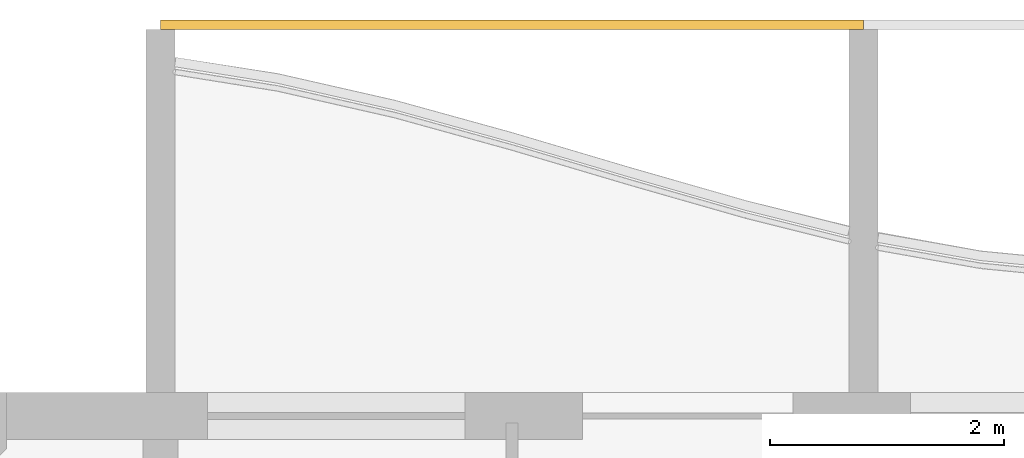
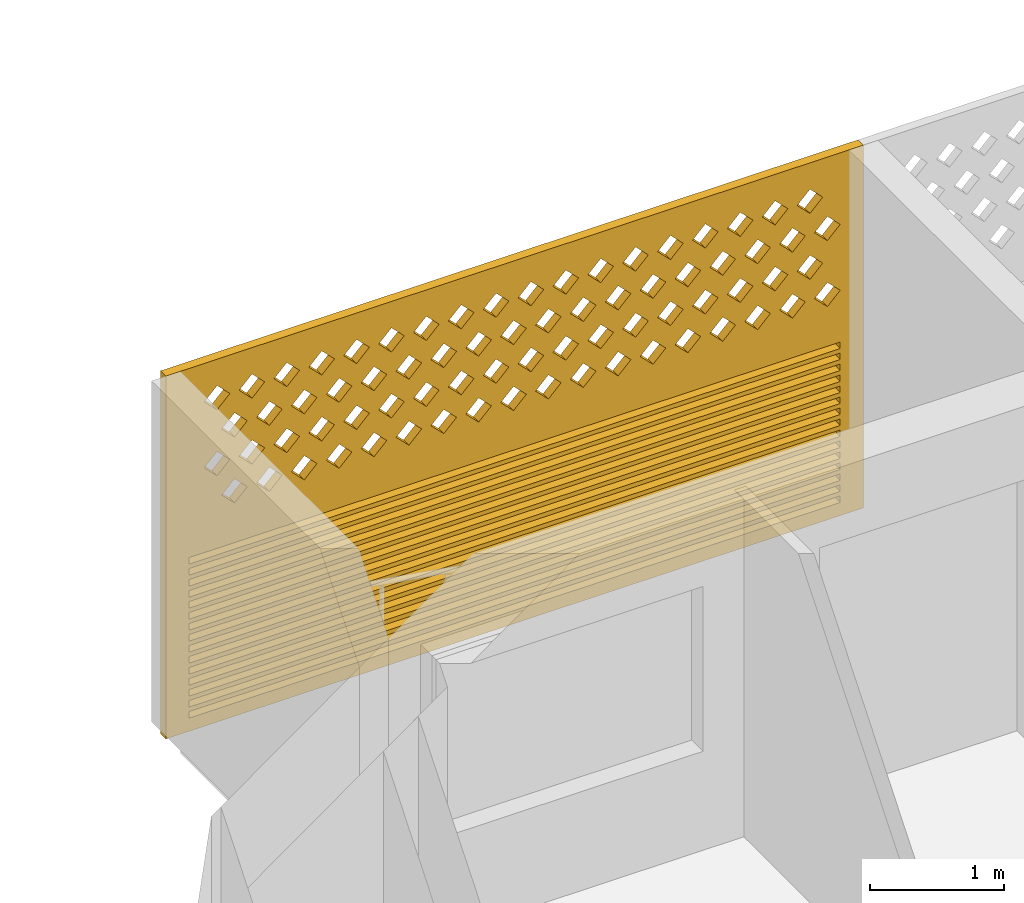
# One storey, part 18 of 32: 1 covering.
"""IFC4 building model written with IfcOpenShell, lengths in metres."""

from ifc_helpers import new_model, si_unit, direction, frame, origin, place, context, subcontext, project, spatial, polyline, outline, extrude, source, transform, mapped, material, material_profile, profile_set, type_object, element, save


model = new_model("IFC4")

# Units and contexts
model_context = context("Model", 3, precision=1e-05, world=origin(), true_north=direction((0.0, 1.0)))
body_context = subcontext(model_context, "Body", "Model", "MODEL_VIEW")
ifc_project = project(units=[si_unit("LENGTHUNIT", "METRE"), si_unit("AREAUNIT", "SQUARE_METRE"), si_unit("VOLUMEUNIT", "CUBIC_METRE"), si_unit("PLANEANGLEUNIT", "RADIAN"), si_unit("MASSUNIT", "GRAM", prefix="KILO")], contexts=[model_context])

# Site, building, storey
site_placement = place(None, origin())
site = spatial("IfcSite", under=ifc_project, at=site_placement, CompositionType="ELEMENT")
building_placement = place(site_placement, origin())
building = spatial("IfcBuilding", under=site, at=building_placement, Name="Poui Terraces", CompositionType="ELEMENT")
storey_placement = place(building_placement, frame((0.0, 0.0, 129.0)))
storey = spatial("IfcBuildingStorey", under=building, at=storey_placement, Name="L35", CompositionType="ELEMENT", Elevation=129.0)

# Covering
ifc_material = material(Name="Terracotta screen", Category="masonry")
ifc_material_profile = material_profile(ifc_material, outline(polyline([(-3.0, -1.64990234375), (3.0, -1.64990234375), (3.0, 1.64990234375), (-3.0, 1.64990234375), (-3.0, -1.64990234375)]), holes=[polyline([(-2.800048828125, 0.39990234375), (-2.68994140625, 0.2900390625), (-2.580078125, 0.39990234375), (-2.68994140625, 0.510009765625), (-2.800048828125, 0.39990234375)]), polyline([(-2.5, 0.39990234375), (-2.389892578125, 0.2900390625), (-2.280029296875, 0.39990234375), (-2.389892578125, 0.510009765625), (-2.5, 0.39990234375)]), polyline([(-2.199951171875, 0.39990234375), (-2.090087890625, 0.2900390625), (-1.97998046875, 0.39990234375), (-2.090087890625, 0.510009765625), (-2.199951171875, 0.39990234375)]), polyline([(-1.89990234375, 0.39990234375), (-1.7900390625, 0.2900390625), (-1.679931640625, 0.39990234375), (-1.7900390625, 0.510009765625), (-1.89990234375, 0.39990234375)]), polyline([(-1.60009765625, 0.39990234375), (-1.489990234375, 0.2900390625), (-1.3798828125, 0.39990234375), (-1.489990234375, 0.510009765625), (-1.60009765625, 0.39990234375)]), polyline([(-1.300048828125, 0.39990234375), (-1.18994140625, 0.2900390625), (-1.080078125, 0.39990234375), (-1.18994140625, 0.510009765625), (-1.300048828125, 0.39990234375)]), polyline([(-1.0, 0.39990234375), (-0.889892578125, 0.2900390625), (-0.780029296875, 0.39990234375), (-0.889892578125, 0.510009765625), (-1.0, 0.39990234375)]), polyline([(-0.699951171875, 0.39990234375), (-0.590087890625, 0.2900390625), (-0.47998046875, 0.39990234375), (-0.590087890625, 0.510009765625), (-0.699951171875, 0.39990234375)]), polyline([(-0.39990234375, 0.39990234375), (-0.2900390625, 0.2900390625), (-0.179931640625, 0.39990234375), (-0.2900390625, 0.510009765625), (-0.39990234375, 0.39990234375)]), polyline([(-0.10009765625, 0.39990234375), (0.010009765625, 0.2900390625), (0.1201171875, 0.39990234375), (0.010009765625, 0.510009765625), (-0.10009765625, 0.39990234375)]), polyline([(0.199951171875, 0.39990234375), (0.31005859375, 0.2900390625), (0.419921875, 0.39990234375), (0.31005859375, 0.510009765625), (0.199951171875, 0.39990234375)]), polyline([(0.5, 0.39990234375), (0.610107421875, 0.2900390625), (0.719970703125, 0.39990234375), (0.610107421875, 0.510009765625), (0.5, 0.39990234375)]), polyline([(0.800048828125, 0.39990234375), (0.909912109375, 0.2900390625), (1.02001953125, 0.39990234375), (0.909912109375, 0.510009765625), (0.800048828125, 0.39990234375)]), polyline([(1.10009765625, 0.39990234375), (1.2099609375, 0.2900390625), (1.320068359375, 0.39990234375), (1.2099609375, 0.510009765625), (1.10009765625, 0.39990234375)]), polyline([(1.39990234375, 0.39990234375), (1.510009765625, 0.2900390625), (1.6201171875, 0.39990234375), (1.510009765625, 0.510009765625), (1.39990234375, 0.39990234375)]), polyline([(1.699951171875, 0.39990234375), (1.81005859375, 0.2900390625), (1.919921875, 0.39990234375), (1.81005859375, 0.510009765625), (1.699951171875, 0.39990234375)]), polyline([(2.0, 0.39990234375), (2.110107421875, 0.2900390625), (2.219970703125, 0.39990234375), (2.110107421875, 0.510009765625), (2.0, 0.39990234375)]), polyline([(2.300048828125, 0.39990234375), (2.409912109375, 0.2900390625), (2.52001953125, 0.39990234375), (2.409912109375, 0.510009765625), (2.300048828125, 0.39990234375)]), polyline([(-2.64990234375, 0.699951171875), (-2.5400390625, 0.590087890625), (-2.429931640625, 0.699951171875), (-2.5400390625, 0.81005859375), (-2.64990234375, 0.699951171875)]), polyline([(-2.35009765625, 0.699951171875), (-2.239990234375, 0.590087890625), (-2.1298828125, 0.699951171875), (-2.239990234375, 0.81005859375), (-2.35009765625, 0.699951171875)]), polyline([(-2.050048828125, 0.699951171875), (-1.93994140625, 0.590087890625), (-1.830078125, 0.699951171875), (-1.93994140625, 0.81005859375), (-2.050048828125, 0.699951171875)]), polyline([(-1.75, 0.699951171875), (-1.639892578125, 0.590087890625), (-1.530029296875, 0.699951171875), (-1.639892578125, 0.81005859375), (-1.75, 0.699951171875)]), polyline([(-1.449951171875, 0.699951171875), (-1.340087890625, 0.590087890625), (-1.22998046875, 0.699951171875), (-1.340087890625, 0.81005859375), (-1.449951171875, 0.699951171875)]), polyline([(-1.14990234375, 0.699951171875), (-1.0400390625, 0.590087890625), (-0.929931640625, 0.699951171875), (-1.0400390625, 0.81005859375), (-1.14990234375, 0.699951171875)]), polyline([(-0.85009765625, 0.699951171875), (-0.739990234375, 0.590087890625), (-0.6298828125, 0.699951171875), (-0.739990234375, 0.81005859375), (-0.85009765625, 0.699951171875)]), polyline([(-0.550048828125, 0.699951171875), (-0.43994140625, 0.590087890625), (-0.330078125, 0.699951171875), (-0.43994140625, 0.81005859375), (-0.550048828125, 0.699951171875)]), polyline([(-0.25, 0.699951171875), (-0.139892578125, 0.590087890625), (-0.030029296875, 0.699951171875), (-0.139892578125, 0.81005859375), (-0.25, 0.699951171875)]), polyline([(0.050048828125, 0.699951171875), (0.159912109375, 0.590087890625), (0.27001953125, 0.699951171875), (0.159912109375, 0.81005859375), (0.050048828125, 0.699951171875)]), polyline([(0.35009765625, 0.699951171875), (0.4599609375, 0.590087890625), (0.570068359375, 0.699951171875), (0.4599609375, 0.81005859375), (0.35009765625, 0.699951171875)]), polyline([(0.64990234375, 0.699951171875), (0.760009765625, 0.590087890625), (0.8701171875, 0.699951171875), (0.760009765625, 0.81005859375), (0.64990234375, 0.699951171875)]), polyline([(0.949951171875, 0.699951171875), (1.06005859375, 0.590087890625), (1.169921875, 0.699951171875), (1.06005859375, 0.81005859375), (0.949951171875, 0.699951171875)]), polyline([(1.25, 0.699951171875), (1.360107421875, 0.590087890625), (1.469970703125, 0.699951171875), (1.360107421875, 0.81005859375), (1.25, 0.699951171875)]), polyline([(1.550048828125, 0.699951171875), (1.659912109375, 0.590087890625), (1.77001953125, 0.699951171875), (1.659912109375, 0.81005859375), (1.550048828125, 0.699951171875)]), polyline([(1.85009765625, 0.699951171875), (1.9599609375, 0.590087890625), (2.070068359375, 0.699951171875), (1.9599609375, 0.81005859375), (1.85009765625, 0.699951171875)]), polyline([(2.14990234375, 0.699951171875), (2.260009765625, 0.590087890625), (2.3701171875, 0.699951171875), (2.260009765625, 0.81005859375), (2.14990234375, 0.699951171875)]), polyline([(2.449951171875, 0.699951171875), (2.56005859375, 0.590087890625), (2.669921875, 0.699951171875), (2.56005859375, 0.81005859375), (2.449951171875, 0.699951171875)]), polyline([(-2.800048828125, 1.0), (-2.68994140625, 0.889892578125), (-2.580078125, 1.0), (-2.68994140625, 1.110107421875), (-2.800048828125, 1.0)]), polyline([(-2.5, 1.0), (-2.389892578125, 0.889892578125), (-2.280029296875, 1.0), (-2.389892578125, 1.110107421875), (-2.5, 1.0)]), polyline([(-2.199951171875, 1.0), (-2.090087890625, 0.889892578125), (-1.97998046875, 1.0), (-2.090087890625, 1.110107421875), (-2.199951171875, 1.0)]), polyline([(-1.89990234375, 1.0), (-1.7900390625, 0.889892578125), (-1.679931640625, 1.0), (-1.7900390625, 1.110107421875), (-1.89990234375, 1.0)]), polyline([(-1.60009765625, 1.0), (-1.489990234375, 0.889892578125), (-1.3798828125, 1.0), (-1.489990234375, 1.110107421875), (-1.60009765625, 1.0)]), polyline([(-1.300048828125, 1.0), (-1.18994140625, 0.889892578125), (-1.080078125, 1.0), (-1.18994140625, 1.110107421875), (-1.300048828125, 1.0)]), polyline([(-1.0, 1.0), (-0.889892578125, 0.889892578125), (-0.780029296875, 1.0), (-0.889892578125, 1.110107421875), (-1.0, 1.0)]), polyline([(-0.699951171875, 1.0), (-0.590087890625, 0.889892578125), (-0.47998046875, 1.0), (-0.590087890625, 1.110107421875), (-0.699951171875, 1.0)]), polyline([(-0.39990234375, 1.0), (-0.2900390625, 0.889892578125), (-0.179931640625, 1.0), (-0.2900390625, 1.110107421875), (-0.39990234375, 1.0)]), polyline([(-0.10009765625, 1.0), (0.010009765625, 0.889892578125), (0.1201171875, 1.0), (0.010009765625, 1.110107421875), (-0.10009765625, 1.0)]), polyline([(0.199951171875, 1.0), (0.31005859375, 0.889892578125), (0.419921875, 1.0), (0.31005859375, 1.110107421875), (0.199951171875, 1.0)]), polyline([(0.5, 1.0), (0.610107421875, 0.889892578125), (0.719970703125, 1.0), (0.610107421875, 1.110107421875), (0.5, 1.0)]), polyline([(0.800048828125, 1.0), (0.909912109375, 0.889892578125), (1.02001953125, 1.0), (0.909912109375, 1.110107421875), (0.800048828125, 1.0)]), polyline([(1.10009765625, 1.0), (1.2099609375, 0.889892578125), (1.320068359375, 1.0), (1.2099609375, 1.110107421875), (1.10009765625, 1.0)]), polyline([(1.39990234375, 1.0), (1.510009765625, 0.889892578125), (1.6201171875, 1.0), (1.510009765625, 1.110107421875), (1.39990234375, 1.0)]), polyline([(1.699951171875, 1.0), (1.81005859375, 0.889892578125), (1.919921875, 1.0), (1.81005859375, 1.110107421875), (1.699951171875, 1.0)]), polyline([(2.0, 1.0), (2.110107421875, 0.889892578125), (2.219970703125, 1.0), (2.110107421875, 1.110107421875), (2.0, 1.0)]), polyline([(2.300048828125, 1.0), (2.409912109375, 0.889892578125), (2.52001953125, 1.0), (2.409912109375, 1.110107421875), (2.300048828125, 1.0)]), polyline([(-2.64990234375, 1.300048828125), (-2.5400390625, 1.18994140625), (-2.429931640625, 1.300048828125), (-2.5400390625, 1.409912109375), (-2.64990234375, 1.300048828125)]), polyline([(-2.35009765625, 1.300048828125), (-2.239990234375, 1.18994140625), (-2.1298828125, 1.300048828125), (-2.239990234375, 1.409912109375), (-2.35009765625, 1.300048828125)]), polyline([(-2.050048828125, 1.300048828125), (-1.93994140625, 1.18994140625), (-1.830078125, 1.300048828125), (-1.93994140625, 1.409912109375), (-2.050048828125, 1.300048828125)]), polyline([(-1.75, 1.300048828125), (-1.639892578125, 1.18994140625), (-1.530029296875, 1.300048828125), (-1.639892578125, 1.409912109375), (-1.75, 1.300048828125)]), polyline([(-1.449951171875, 1.300048828125), (-1.340087890625, 1.18994140625), (-1.22998046875, 1.300048828125), (-1.340087890625, 1.409912109375), (-1.449951171875, 1.300048828125)]), polyline([(-1.14990234375, 1.300048828125), (-1.0400390625, 1.18994140625), (-0.929931640625, 1.300048828125), (-1.0400390625, 1.409912109375), (-1.14990234375, 1.300048828125)]), polyline([(-0.85009765625, 1.300048828125), (-0.739990234375, 1.18994140625), (-0.6298828125, 1.300048828125), (-0.739990234375, 1.409912109375), (-0.85009765625, 1.300048828125)]), polyline([(-0.550048828125, 1.300048828125), (-0.43994140625, 1.18994140625), (-0.330078125, 1.300048828125), (-0.43994140625, 1.409912109375), (-0.550048828125, 1.300048828125)]), polyline([(-0.25, 1.300048828125), (-0.139892578125, 1.18994140625), (-0.030029296875, 1.300048828125), (-0.139892578125, 1.409912109375), (-0.25, 1.300048828125)]), polyline([(0.050048828125, 1.300048828125), (0.159912109375, 1.18994140625), (0.27001953125, 1.300048828125), (0.159912109375, 1.409912109375), (0.050048828125, 1.300048828125)]), polyline([(0.35009765625, 1.300048828125), (0.4599609375, 1.18994140625), (0.570068359375, 1.300048828125), (0.4599609375, 1.409912109375), (0.35009765625, 1.300048828125)]), polyline([(0.64990234375, 1.300048828125), (0.760009765625, 1.18994140625), (0.8701171875, 1.300048828125), (0.760009765625, 1.409912109375), (0.64990234375, 1.300048828125)]), polyline([(0.949951171875, 1.300048828125), (1.06005859375, 1.18994140625), (1.169921875, 1.300048828125), (1.06005859375, 1.409912109375), (0.949951171875, 1.300048828125)]), polyline([(1.25, 1.300048828125), (1.360107421875, 1.18994140625), (1.469970703125, 1.300048828125), (1.360107421875, 1.409912109375), (1.25, 1.300048828125)]), polyline([(1.550048828125, 1.300048828125), (1.659912109375, 1.18994140625), (1.77001953125, 1.300048828125), (1.659912109375, 1.409912109375), (1.550048828125, 1.300048828125)]), polyline([(1.85009765625, 1.300048828125), (1.9599609375, 1.18994140625), (2.070068359375, 1.300048828125), (1.9599609375, 1.409912109375), (1.85009765625, 1.300048828125)]), polyline([(2.14990234375, 1.300048828125), (2.260009765625, 1.18994140625), (2.3701171875, 1.300048828125), (2.260009765625, 1.409912109375), (2.14990234375, 1.300048828125)]), polyline([(2.449951171875, 1.300048828125), (2.56005859375, 1.18994140625), (2.669921875, 1.300048828125), (2.56005859375, 1.409912109375), (2.449951171875, 1.300048828125)]), polyline([(-2.800048828125, -1.530029296875), (2.800048828125, -1.530029296875), (2.800048828125, -1.469970703125), (-2.800048828125, -1.469970703125), (-2.800048828125, -1.530029296875)]), polyline([(-2.800048828125, -1.429931640625), (2.800048828125, -1.429931640625), (2.800048828125, -1.3701171875), (-2.800048828125, -1.3701171875), (-2.800048828125, -1.429931640625)]), polyline([(-2.800048828125, -1.330078125), (2.800048828125, -1.330078125), (2.800048828125, -1.27001953125), (-2.800048828125, -1.27001953125), (-2.800048828125, -1.330078125)]), polyline([(-2.800048828125, -1.22998046875), (2.800048828125, -1.22998046875), (2.800048828125, -1.169921875), (-2.800048828125, -1.169921875), (-2.800048828125, -1.22998046875)]), polyline([(-2.800048828125, -1.1298828125), (2.800048828125, -1.1298828125), (2.800048828125, -1.070068359375), (-2.800048828125, -1.070068359375), (-2.800048828125, -1.1298828125)]), polyline([(-2.800048828125, -1.030029296875), (2.800048828125, -1.030029296875), (2.800048828125, -0.969970703125), (-2.800048828125, -0.969970703125), (-2.800048828125, -1.030029296875)]), polyline([(-2.800048828125, -0.929931640625), (2.800048828125, -0.929931640625), (2.800048828125, -0.8701171875), (-2.800048828125, -0.8701171875), (-2.800048828125, -0.929931640625)]), polyline([(-2.800048828125, -0.830078125), (2.800048828125, -0.830078125), (2.800048828125, -0.77001953125), (-2.800048828125, -0.77001953125), (-2.800048828125, -0.830078125)]), polyline([(-2.800048828125, -0.72998046875), (2.800048828125, -0.72998046875), (2.800048828125, -0.669921875), (-2.800048828125, -0.669921875), (-2.800048828125, -0.72998046875)]), polyline([(-2.800048828125, -0.6298828125), (2.800048828125, -0.6298828125), (2.800048828125, -0.570068359375), (-2.800048828125, -0.570068359375), (-2.800048828125, -0.6298828125)]), polyline([(-2.800048828125, -0.530029296875), (2.800048828125, -0.530029296875), (2.800048828125, -0.469970703125), (-2.800048828125, -0.469970703125), (-2.800048828125, -0.530029296875)]), polyline([(-2.800048828125, -0.429931640625), (2.800048828125, -0.429931640625), (2.800048828125, -0.3701171875), (-2.800048828125, -0.3701171875), (-2.800048828125, -0.429931640625)]), polyline([(-2.800048828125, -0.330078125), (2.800048828125, -0.330078125), (2.800048828125, -0.27001953125), (-2.800048828125, -0.27001953125), (-2.800048828125, -0.330078125)]), polyline([(-2.800048828125, -0.22998046875), (2.800048828125, -0.22998046875), (2.800048828125, -0.169921875), (-2.800048828125, -0.169921875), (-2.800048828125, -0.22998046875)]), polyline([(-2.800048828125, -0.1298828125), (2.800048828125, -0.1298828125), (2.800048828125, -0.070068359375), (-2.800048828125, -0.070068359375), (-2.800048828125, -0.1298828125)])]), Name="TERRACOTTA SCREEN AND JALOUSIE LOUVRE 6000X3300")
ifc_profile_set = profile_set([ifc_material_profile], Name="Terracotta screen")
covering_type = type_object("IfcCoveringType", Name="TERRACOTTA SCREEN AND JALOUSIE LOUVRE 6000X3300", PredefinedType="CLADDING", material=ifc_profile_set)
shared_shape = source(origin(), body_context, "Body", "SweptSolid", [
    extrude(outline(polyline([(-3.0, -1.64990234375), (3.0, -1.64990234375), (3.0, 1.64990234375), (-3.0, 1.64990234375), (-3.0, -1.64990234375)]), holes=[polyline([(-2.800048828125, 0.39990234375), (-2.68994140625, 0.2900390625), (-2.580078125, 0.39990234375), (-2.68994140625, 0.510009765625), (-2.800048828125, 0.39990234375)]), polyline([(-2.5, 0.39990234375), (-2.389892578125, 0.2900390625), (-2.280029296875, 0.39990234375), (-2.389892578125, 0.510009765625), (-2.5, 0.39990234375)]), polyline([(-2.199951171875, 0.39990234375), (-2.090087890625, 0.2900390625), (-1.97998046875, 0.39990234375), (-2.090087890625, 0.510009765625), (-2.199951171875, 0.39990234375)]), polyline([(-1.89990234375, 0.39990234375), (-1.7900390625, 0.2900390625), (-1.679931640625, 0.39990234375), (-1.7900390625, 0.510009765625), (-1.89990234375, 0.39990234375)]), polyline([(-1.60009765625, 0.39990234375), (-1.489990234375, 0.2900390625), (-1.3798828125, 0.39990234375), (-1.489990234375, 0.510009765625), (-1.60009765625, 0.39990234375)]), polyline([(-1.300048828125, 0.39990234375), (-1.18994140625, 0.2900390625), (-1.080078125, 0.39990234375), (-1.18994140625, 0.510009765625), (-1.300048828125, 0.39990234375)]), polyline([(-1.0, 0.39990234375), (-0.889892578125, 0.2900390625), (-0.780029296875, 0.39990234375), (-0.889892578125, 0.510009765625), (-1.0, 0.39990234375)]), polyline([(-0.699951171875, 0.39990234375), (-0.590087890625, 0.2900390625), (-0.47998046875, 0.39990234375), (-0.590087890625, 0.510009765625), (-0.699951171875, 0.39990234375)]), polyline([(-0.39990234375, 0.39990234375), (-0.2900390625, 0.2900390625), (-0.179931640625, 0.39990234375), (-0.2900390625, 0.510009765625), (-0.39990234375, 0.39990234375)]), polyline([(-0.10009765625, 0.39990234375), (0.010009765625, 0.2900390625), (0.1201171875, 0.39990234375), (0.010009765625, 0.510009765625), (-0.10009765625, 0.39990234375)]), polyline([(0.199951171875, 0.39990234375), (0.31005859375, 0.2900390625), (0.419921875, 0.39990234375), (0.31005859375, 0.510009765625), (0.199951171875, 0.39990234375)]), polyline([(0.5, 0.39990234375), (0.610107421875, 0.2900390625), (0.719970703125, 0.39990234375), (0.610107421875, 0.510009765625), (0.5, 0.39990234375)]), polyline([(0.800048828125, 0.39990234375), (0.909912109375, 0.2900390625), (1.02001953125, 0.39990234375), (0.909912109375, 0.510009765625), (0.800048828125, 0.39990234375)]), polyline([(1.10009765625, 0.39990234375), (1.2099609375, 0.2900390625), (1.320068359375, 0.39990234375), (1.2099609375, 0.510009765625), (1.10009765625, 0.39990234375)]), polyline([(1.39990234375, 0.39990234375), (1.510009765625, 0.2900390625), (1.6201171875, 0.39990234375), (1.510009765625, 0.510009765625), (1.39990234375, 0.39990234375)]), polyline([(1.699951171875, 0.39990234375), (1.81005859375, 0.2900390625), (1.919921875, 0.39990234375), (1.81005859375, 0.510009765625), (1.699951171875, 0.39990234375)]), polyline([(2.0, 0.39990234375), (2.110107421875, 0.2900390625), (2.219970703125, 0.39990234375), (2.110107421875, 0.510009765625), (2.0, 0.39990234375)]), polyline([(2.300048828125, 0.39990234375), (2.409912109375, 0.2900390625), (2.52001953125, 0.39990234375), (2.409912109375, 0.510009765625), (2.300048828125, 0.39990234375)]), polyline([(-2.64990234375, 0.699951171875), (-2.5400390625, 0.590087890625), (-2.429931640625, 0.699951171875), (-2.5400390625, 0.81005859375), (-2.64990234375, 0.699951171875)]), polyline([(-2.35009765625, 0.699951171875), (-2.239990234375, 0.590087890625), (-2.1298828125, 0.699951171875), (-2.239990234375, 0.81005859375), (-2.35009765625, 0.699951171875)]), polyline([(-2.050048828125, 0.699951171875), (-1.93994140625, 0.590087890625), (-1.830078125, 0.699951171875), (-1.93994140625, 0.81005859375), (-2.050048828125, 0.699951171875)]), polyline([(-1.75, 0.699951171875), (-1.639892578125, 0.590087890625), (-1.530029296875, 0.699951171875), (-1.639892578125, 0.81005859375), (-1.75, 0.699951171875)]), polyline([(-1.449951171875, 0.699951171875), (-1.340087890625, 0.590087890625), (-1.22998046875, 0.699951171875), (-1.340087890625, 0.81005859375), (-1.449951171875, 0.699951171875)]), polyline([(-1.14990234375, 0.699951171875), (-1.0400390625, 0.590087890625), (-0.929931640625, 0.699951171875), (-1.0400390625, 0.81005859375), (-1.14990234375, 0.699951171875)]), polyline([(-0.85009765625, 0.699951171875), (-0.739990234375, 0.590087890625), (-0.6298828125, 0.699951171875), (-0.739990234375, 0.81005859375), (-0.85009765625, 0.699951171875)]), polyline([(-0.550048828125, 0.699951171875), (-0.43994140625, 0.590087890625), (-0.330078125, 0.699951171875), (-0.43994140625, 0.81005859375), (-0.550048828125, 0.699951171875)]), polyline([(-0.25, 0.699951171875), (-0.139892578125, 0.590087890625), (-0.030029296875, 0.699951171875), (-0.139892578125, 0.81005859375), (-0.25, 0.699951171875)]), polyline([(0.050048828125, 0.699951171875), (0.159912109375, 0.590087890625), (0.27001953125, 0.699951171875), (0.159912109375, 0.81005859375), (0.050048828125, 0.699951171875)]), polyline([(0.35009765625, 0.699951171875), (0.4599609375, 0.590087890625), (0.570068359375, 0.699951171875), (0.4599609375, 0.81005859375), (0.35009765625, 0.699951171875)]), polyline([(0.64990234375, 0.699951171875), (0.760009765625, 0.590087890625), (0.8701171875, 0.699951171875), (0.760009765625, 0.81005859375), (0.64990234375, 0.699951171875)]), polyline([(0.949951171875, 0.699951171875), (1.06005859375, 0.590087890625), (1.169921875, 0.699951171875), (1.06005859375, 0.81005859375), (0.949951171875, 0.699951171875)]), polyline([(1.25, 0.699951171875), (1.360107421875, 0.590087890625), (1.469970703125, 0.699951171875), (1.360107421875, 0.81005859375), (1.25, 0.699951171875)]), polyline([(1.550048828125, 0.699951171875), (1.659912109375, 0.590087890625), (1.77001953125, 0.699951171875), (1.659912109375, 0.81005859375), (1.550048828125, 0.699951171875)]), polyline([(1.85009765625, 0.699951171875), (1.9599609375, 0.590087890625), (2.070068359375, 0.699951171875), (1.9599609375, 0.81005859375), (1.85009765625, 0.699951171875)]), polyline([(2.14990234375, 0.699951171875), (2.260009765625, 0.590087890625), (2.3701171875, 0.699951171875), (2.260009765625, 0.81005859375), (2.14990234375, 0.699951171875)]), polyline([(2.449951171875, 0.699951171875), (2.56005859375, 0.590087890625), (2.669921875, 0.699951171875), (2.56005859375, 0.81005859375), (2.449951171875, 0.699951171875)]), polyline([(-2.800048828125, 1.0), (-2.68994140625, 0.889892578125), (-2.580078125, 1.0), (-2.68994140625, 1.110107421875), (-2.800048828125, 1.0)]), polyline([(-2.5, 1.0), (-2.389892578125, 0.889892578125), (-2.280029296875, 1.0), (-2.389892578125, 1.110107421875), (-2.5, 1.0)]), polyline([(-2.199951171875, 1.0), (-2.090087890625, 0.889892578125), (-1.97998046875, 1.0), (-2.090087890625, 1.110107421875), (-2.199951171875, 1.0)]), polyline([(-1.89990234375, 1.0), (-1.7900390625, 0.889892578125), (-1.679931640625, 1.0), (-1.7900390625, 1.110107421875), (-1.89990234375, 1.0)]), polyline([(-1.60009765625, 1.0), (-1.489990234375, 0.889892578125), (-1.3798828125, 1.0), (-1.489990234375, 1.110107421875), (-1.60009765625, 1.0)]), polyline([(-1.300048828125, 1.0), (-1.18994140625, 0.889892578125), (-1.080078125, 1.0), (-1.18994140625, 1.110107421875), (-1.300048828125, 1.0)]), polyline([(-1.0, 1.0), (-0.889892578125, 0.889892578125), (-0.780029296875, 1.0), (-0.889892578125, 1.110107421875), (-1.0, 1.0)]), polyline([(-0.699951171875, 1.0), (-0.590087890625, 0.889892578125), (-0.47998046875, 1.0), (-0.590087890625, 1.110107421875), (-0.699951171875, 1.0)]), polyline([(-0.39990234375, 1.0), (-0.2900390625, 0.889892578125), (-0.179931640625, 1.0), (-0.2900390625, 1.110107421875), (-0.39990234375, 1.0)]), polyline([(-0.10009765625, 1.0), (0.010009765625, 0.889892578125), (0.1201171875, 1.0), (0.010009765625, 1.110107421875), (-0.10009765625, 1.0)]), polyline([(0.199951171875, 1.0), (0.31005859375, 0.889892578125), (0.419921875, 1.0), (0.31005859375, 1.110107421875), (0.199951171875, 1.0)]), polyline([(0.5, 1.0), (0.610107421875, 0.889892578125), (0.719970703125, 1.0), (0.610107421875, 1.110107421875), (0.5, 1.0)]), polyline([(0.800048828125, 1.0), (0.909912109375, 0.889892578125), (1.02001953125, 1.0), (0.909912109375, 1.110107421875), (0.800048828125, 1.0)]), polyline([(1.10009765625, 1.0), (1.2099609375, 0.889892578125), (1.320068359375, 1.0), (1.2099609375, 1.110107421875), (1.10009765625, 1.0)]), polyline([(1.39990234375, 1.0), (1.510009765625, 0.889892578125), (1.6201171875, 1.0), (1.510009765625, 1.110107421875), (1.39990234375, 1.0)]), polyline([(1.699951171875, 1.0), (1.81005859375, 0.889892578125), (1.919921875, 1.0), (1.81005859375, 1.110107421875), (1.699951171875, 1.0)]), polyline([(2.0, 1.0), (2.110107421875, 0.889892578125), (2.219970703125, 1.0), (2.110107421875, 1.110107421875), (2.0, 1.0)]), polyline([(2.300048828125, 1.0), (2.409912109375, 0.889892578125), (2.52001953125, 1.0), (2.409912109375, 1.110107421875), (2.300048828125, 1.0)]), polyline([(-2.64990234375, 1.300048828125), (-2.5400390625, 1.18994140625), (-2.429931640625, 1.300048828125), (-2.5400390625, 1.409912109375), (-2.64990234375, 1.300048828125)]), polyline([(-2.35009765625, 1.300048828125), (-2.239990234375, 1.18994140625), (-2.1298828125, 1.300048828125), (-2.239990234375, 1.409912109375), (-2.35009765625, 1.300048828125)]), polyline([(-2.050048828125, 1.300048828125), (-1.93994140625, 1.18994140625), (-1.830078125, 1.300048828125), (-1.93994140625, 1.409912109375), (-2.050048828125, 1.300048828125)]), polyline([(-1.75, 1.300048828125), (-1.639892578125, 1.18994140625), (-1.530029296875, 1.300048828125), (-1.639892578125, 1.409912109375), (-1.75, 1.300048828125)]), polyline([(-1.449951171875, 1.300048828125), (-1.340087890625, 1.18994140625), (-1.22998046875, 1.300048828125), (-1.340087890625, 1.409912109375), (-1.449951171875, 1.300048828125)]), polyline([(-1.14990234375, 1.300048828125), (-1.0400390625, 1.18994140625), (-0.929931640625, 1.300048828125), (-1.0400390625, 1.409912109375), (-1.14990234375, 1.300048828125)]), polyline([(-0.85009765625, 1.300048828125), (-0.739990234375, 1.18994140625), (-0.6298828125, 1.300048828125), (-0.739990234375, 1.409912109375), (-0.85009765625, 1.300048828125)]), polyline([(-0.550048828125, 1.300048828125), (-0.43994140625, 1.18994140625), (-0.330078125, 1.300048828125), (-0.43994140625, 1.409912109375), (-0.550048828125, 1.300048828125)]), polyline([(-0.25, 1.300048828125), (-0.139892578125, 1.18994140625), (-0.030029296875, 1.300048828125), (-0.139892578125, 1.409912109375), (-0.25, 1.300048828125)]), polyline([(0.050048828125, 1.300048828125), (0.159912109375, 1.18994140625), (0.27001953125, 1.300048828125), (0.159912109375, 1.409912109375), (0.050048828125, 1.300048828125)]), polyline([(0.35009765625, 1.300048828125), (0.4599609375, 1.18994140625), (0.570068359375, 1.300048828125), (0.4599609375, 1.409912109375), (0.35009765625, 1.300048828125)]), polyline([(0.64990234375, 1.300048828125), (0.760009765625, 1.18994140625), (0.8701171875, 1.300048828125), (0.760009765625, 1.409912109375), (0.64990234375, 1.300048828125)]), polyline([(0.949951171875, 1.300048828125), (1.06005859375, 1.18994140625), (1.169921875, 1.300048828125), (1.06005859375, 1.409912109375), (0.949951171875, 1.300048828125)]), polyline([(1.25, 1.300048828125), (1.360107421875, 1.18994140625), (1.469970703125, 1.300048828125), (1.360107421875, 1.409912109375), (1.25, 1.300048828125)]), polyline([(1.550048828125, 1.300048828125), (1.659912109375, 1.18994140625), (1.77001953125, 1.300048828125), (1.659912109375, 1.409912109375), (1.550048828125, 1.300048828125)]), polyline([(1.85009765625, 1.300048828125), (1.9599609375, 1.18994140625), (2.070068359375, 1.300048828125), (1.9599609375, 1.409912109375), (1.85009765625, 1.300048828125)]), polyline([(2.14990234375, 1.300048828125), (2.260009765625, 1.18994140625), (2.3701171875, 1.300048828125), (2.260009765625, 1.409912109375), (2.14990234375, 1.300048828125)]), polyline([(2.449951171875, 1.300048828125), (2.56005859375, 1.18994140625), (2.669921875, 1.300048828125), (2.56005859375, 1.409912109375), (2.449951171875, 1.300048828125)]), polyline([(-2.800048828125, -1.530029296875), (2.800048828125, -1.530029296875), (2.800048828125, -1.469970703125), (-2.800048828125, -1.469970703125), (-2.800048828125, -1.530029296875)]), polyline([(-2.800048828125, -1.429931640625), (2.800048828125, -1.429931640625), (2.800048828125, -1.3701171875), (-2.800048828125, -1.3701171875), (-2.800048828125, -1.429931640625)]), polyline([(-2.800048828125, -1.330078125), (2.800048828125, -1.330078125), (2.800048828125, -1.27001953125), (-2.800048828125, -1.27001953125), (-2.800048828125, -1.330078125)]), polyline([(-2.800048828125, -1.22998046875), (2.800048828125, -1.22998046875), (2.800048828125, -1.169921875), (-2.800048828125, -1.169921875), (-2.800048828125, -1.22998046875)]), polyline([(-2.800048828125, -1.1298828125), (2.800048828125, -1.1298828125), (2.800048828125, -1.070068359375), (-2.800048828125, -1.070068359375), (-2.800048828125, -1.1298828125)]), polyline([(-2.800048828125, -1.030029296875), (2.800048828125, -1.030029296875), (2.800048828125, -0.969970703125), (-2.800048828125, -0.969970703125), (-2.800048828125, -1.030029296875)]), polyline([(-2.800048828125, -0.929931640625), (2.800048828125, -0.929931640625), (2.800048828125, -0.8701171875), (-2.800048828125, -0.8701171875), (-2.800048828125, -0.929931640625)]), polyline([(-2.800048828125, -0.830078125), (2.800048828125, -0.830078125), (2.800048828125, -0.77001953125), (-2.800048828125, -0.77001953125), (-2.800048828125, -0.830078125)]), polyline([(-2.800048828125, -0.72998046875), (2.800048828125, -0.72998046875), (2.800048828125, -0.669921875), (-2.800048828125, -0.669921875), (-2.800048828125, -0.72998046875)]), polyline([(-2.800048828125, -0.6298828125), (2.800048828125, -0.6298828125), (2.800048828125, -0.570068359375), (-2.800048828125, -0.570068359375), (-2.800048828125, -0.6298828125)]), polyline([(-2.800048828125, -0.530029296875), (2.800048828125, -0.530029296875), (2.800048828125, -0.469970703125), (-2.800048828125, -0.469970703125), (-2.800048828125, -0.530029296875)]), polyline([(-2.800048828125, -0.429931640625), (2.800048828125, -0.429931640625), (2.800048828125, -0.3701171875), (-2.800048828125, -0.3701171875), (-2.800048828125, -0.429931640625)]), polyline([(-2.800048828125, -0.330078125), (2.800048828125, -0.330078125), (2.800048828125, -0.27001953125), (-2.800048828125, -0.27001953125), (-2.800048828125, -0.330078125)]), polyline([(-2.800048828125, -0.22998046875), (2.800048828125, -0.22998046875), (2.800048828125, -0.169921875), (-2.800048828125, -0.169921875), (-2.800048828125, -0.22998046875)]), polyline([(-2.800048828125, -0.1298828125), (2.800048828125, -0.1298828125), (2.800048828125, -0.070068359375), (-2.800048828125, -0.070068359375), (-2.800048828125, -0.1298828125)])]), origin(), (0.0, 0.0, 1.0), 0.080078125),
])
covering_placement = place(storey_placement, frame((21.0, 45.699951171875, 1.449951171875), z_axis=(0.0, 1.0, 0.0), x_axis=(-1.0, 0.0, 0.0)))
element("IfcCovering", 1, at=covering_placement, inside=storey, type_object=covering_type, Name="SOLAR SCREEN AND JALOUSIE LOUVRE", PredefinedType="CLADDING", context=body_context, shape_type="MappedRepresentation", body=[
    mapped(shared_shape, transform((0.0, 0.0, 0.0))),
])

save(model, "model.ifc")
